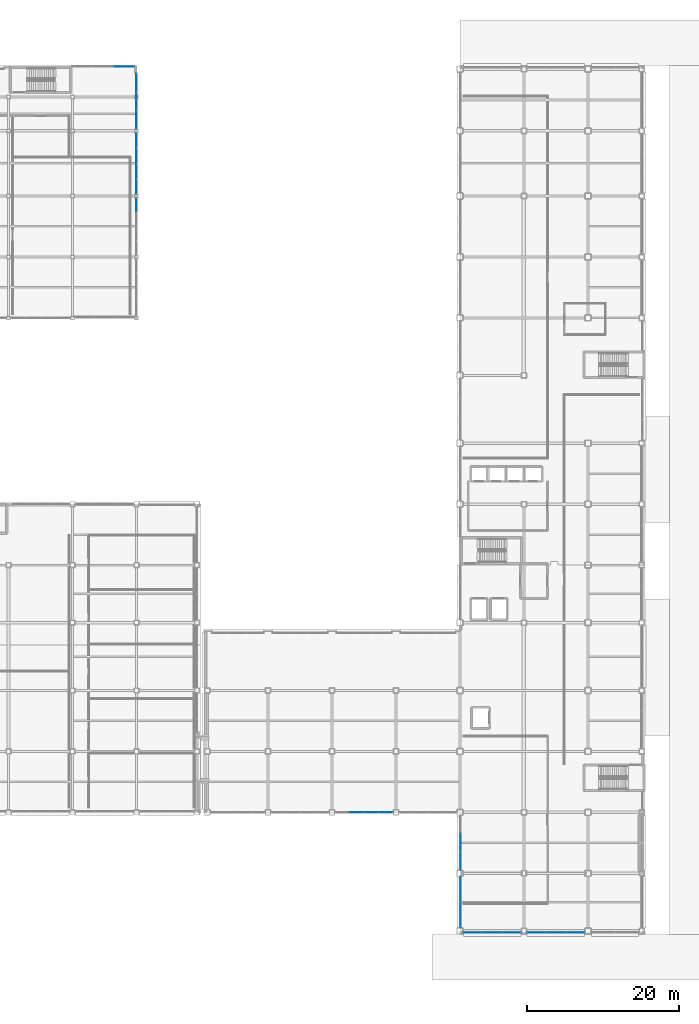
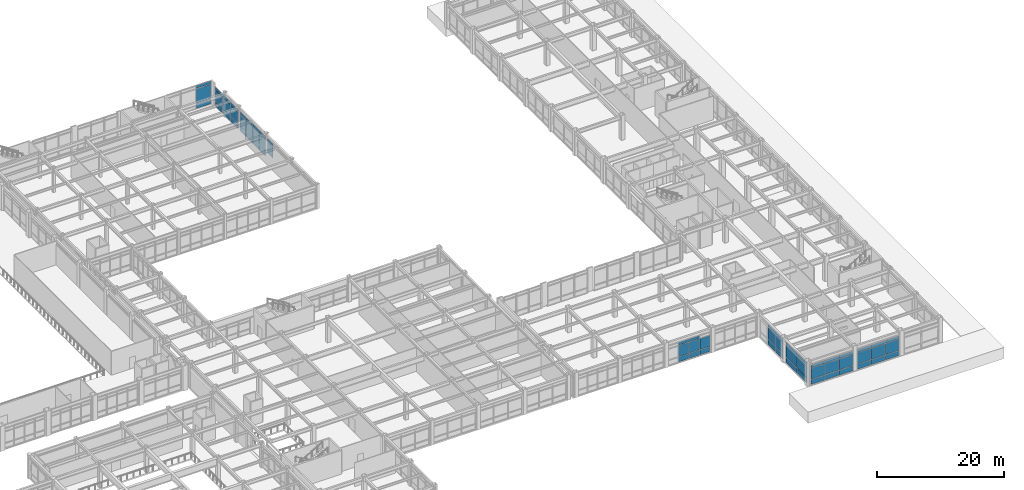
# One storey, part 134 of 172: 64 plates, 9 elements without a shape of their own.
"""IFC4 building model written with IfcOpenShell, lengths in metres."""

from ifc_helpers import new_model, si_unit, direction, frame, origin, origin_2d, place, context, subcontext, project, spatial, rectangle, extrude, material, layer, layer_set, type_object, element, aggregate, save


model = new_model("IFC4")

# Units and contexts
model_context = context("Model", 3, precision=1e-05, world=origin(), true_north=direction((0.0, 1.0)))
body_context = subcontext(model_context, "Body", "Model", "MODEL_VIEW")
ifc_project = project(units=[si_unit("LENGTHUNIT", "METRE"), si_unit("AREAUNIT", "SQUARE_METRE"), si_unit("VOLUMEUNIT", "CUBIC_METRE"), si_unit("PLANEANGLEUNIT", "RADIAN"), si_unit("MASSUNIT", "GRAM", prefix="KILO")], contexts=[model_context])

# Site, building, storey
site_placement = place(None, origin())
site = spatial("IfcSite", under=ifc_project, at=site_placement, CompositionType="ELEMENT")
building_placement = place(site_placement, origin())
building = spatial("IfcBuilding", under=site, at=building_placement, Name="Kazehara Bluff Congress Hotel", CompositionType="ELEMENT")
storey_placement = place(building_placement, frame((0.0, 0.0, 5.39990234375)))
storey = spatial("IfcBuildingStorey", under=building, at=storey_placement, Name="L01", CompositionType="ELEMENT", Elevation=5.39990234375)

# Curtain wall, plates
ifc_material_1 = material(Name="Anodised aluminium", Category="aluminium")
ifc_layer_1 = layer(ifc_material_1, 0.159912109375)
ifc_layer_set_1 = layer_set([ifc_layer_1], Name="Anodised aluminium")
curtain_wall_type_1 = type_object("IfcCurtainWallType", Name="TP-CW-21", PredefinedType="NOTDEFINED", material=ifc_layer_set_1)
curtain_wall_1_placement = place(storey_placement, origin())
curtain_wall_1 = element("IfcCurtainWall", 1, at=curtain_wall_1_placement, inside=storey, type_object=curtain_wall_type_1, Name="L01 curtain wall CW-21 CW-V3-L01-X10125-8912", PredefinedType="NOTDEFINED")
ifc_material_2 = material(Name="Insulated low-E double glazing", Category="glass")
ifc_layer_2 = layer(ifc_material_2, 0.028076171875)
ifc_layer_set_2 = layer_set([ifc_layer_2], Name="Insulated low-E double glazing")
plate_type_1 = type_object("IfcPlateType", Name="TP-CWP-01", PredefinedType="CURTAIN_PANEL", material=ifc_layer_set_2)
plate_1_placement = place(storey_placement, frame((101.25, 95.715087890625, 1.08251953125), z_axis=(0.0, 0.0, 1.0), x_axis=(0.0, 1.0, 0.0)))
plate_1 = element("IfcPlate", 2, at=plate_1_placement, type_object=plate_type_1, Name="CW-21 panel 4.2", PredefinedType="CURTAIN_PANEL", context=body_context, shape_type="SweptSolid", body=[
    extrude(rectangle(XDim=1.7900390625, YDim=0.028076171875, at=origin_2d()), origin(), (0.0, 0.0, 1.0), 2.110107421875),
])
plate_2_placement = place(storey_placement, frame((101.25, 95.715087890625, 3.2578125), z_axis=(0.0, 0.0, 1.0), x_axis=(0.0, 1.0, 0.0)))
plate_2 = element("IfcPlate", 3, at=plate_2_placement, type_object=plate_type_1, Name="CW-21 panel 4.3", PredefinedType="CURTAIN_PANEL", context=body_context, shape_type="SweptSolid", body=[
    extrude(rectangle(XDim=1.7900390625, YDim=0.028076171875, at=origin_2d()), origin(), (0.0, 0.0, 1.0), 0.552490234375),
])
aggregate(curtain_wall_1, [plate_1, plate_2])

ifc_material_3 = material(Name="Anodised aluminium", Category="aluminium")
ifc_layer_3 = layer(ifc_material_3, 0.159912109375)
ifc_layer_set_3 = layer_set([ifc_layer_3], Name="Anodised aluminium")
curtain_wall_type_2 = type_object("IfcCurtainWallType", Name="TP-CW-43", PredefinedType="NOTDEFINED", material=ifc_layer_set_3)
curtain_wall_2_placement = place(storey_placement, origin())
curtain_wall_2 = element("IfcCurtainWall", 4, at=curtain_wall_2_placement, inside=storey, type_object=curtain_wall_type_2, Name="L01 curtain wall CW-43 CW-V3-L01-X10125-9712", PredefinedType="NOTDEFINED")
plate_3_placement = place(storey_placement, frame((101.25, 98.15380859375, 0.06494140625), z_axis=(0.0, 0.0, 1.0), x_axis=(0.0, 1.0, 0.0)))
plate_3 = element("IfcPlate", 5, at=plate_3_placement, type_object=plate_type_1, Name="CW-43 panel 1.1", PredefinedType="CURTAIN_PANEL", context=body_context, shape_type="SweptSolid", body=[
    extrude(rectangle(XDim=1.927490234375, YDim=0.028076171875, at=origin_2d()), origin(), (0.0, 0.0, 1.0), 0.952392578125),
])
plate_4_placement = place(storey_placement, frame((101.25, 98.15380859375, 1.08251953125), z_axis=(0.0, 0.0, 1.0), x_axis=(0.0, 1.0, 0.0)))
plate_4 = element("IfcPlate", 6, at=plate_4_placement, type_object=plate_type_1, Name="CW-43 panel 1.2", PredefinedType="CURTAIN_PANEL", context=body_context, shape_type="SweptSolid", body=[
    extrude(rectangle(XDim=1.927490234375, YDim=0.028076171875, at=origin_2d()), origin(), (0.0, 0.0, 1.0), 2.110107421875),
])
plate_5_placement = place(storey_placement, frame((101.25, 98.15380859375, 3.2578125), z_axis=(0.0, 0.0, 1.0), x_axis=(0.0, 1.0, 0.0)))
plate_5 = element("IfcPlate", 7, at=plate_5_placement, type_object=plate_type_1, Name="CW-43 panel 1.3", PredefinedType="CURTAIN_PANEL", context=body_context, shape_type="SweptSolid", body=[
    extrude(rectangle(XDim=1.927490234375, YDim=0.028076171875, at=origin_2d()), origin(), (0.0, 0.0, 1.0), 0.552490234375),
])
plate_6_placement = place(storey_placement, frame((101.25, 100.16259765625, 0.06494140625), z_axis=(0.0, 0.0, 1.0), x_axis=(0.0, 1.0, 0.0)))
plate_6 = element("IfcPlate", 8, at=plate_6_placement, type_object=plate_type_1, Name="CW-43 panel 2.1", PredefinedType="CURTAIN_PANEL", context=body_context, shape_type="SweptSolid", body=[
    extrude(rectangle(XDim=1.9599609375, YDim=0.028076171875, at=origin_2d()), origin(), (0.0, 0.0, 1.0), 0.952392578125),
])
plate_7_placement = place(storey_placement, frame((101.25, 100.16259765625, 1.08251953125), z_axis=(0.0, 0.0, 1.0), x_axis=(0.0, 1.0, 0.0)))
plate_7 = element("IfcPlate", 9, at=plate_7_placement, type_object=plate_type_1, Name="CW-43 panel 2.2", PredefinedType="CURTAIN_PANEL", context=body_context, shape_type="SweptSolid", body=[
    extrude(rectangle(XDim=1.9599609375, YDim=0.028076171875, at=origin_2d()), origin(), (0.0, 0.0, 1.0), 2.110107421875),
])
plate_8_placement = place(storey_placement, frame((101.25, 100.16259765625, 3.2578125), z_axis=(0.0, 0.0, 1.0), x_axis=(0.0, 1.0, 0.0)))
plate_8 = element("IfcPlate", 10, at=plate_8_placement, type_object=plate_type_1, Name="CW-43 panel 2.3", PredefinedType="CURTAIN_PANEL", context=body_context, shape_type="SweptSolid", body=[
    extrude(rectangle(XDim=1.9599609375, YDim=0.028076171875, at=origin_2d()), origin(), (0.0, 0.0, 1.0), 0.552490234375),
])
plate_9_placement = place(storey_placement, frame((101.25, 102.1875, 0.06494140625), z_axis=(0.0, 0.0, 1.0), x_axis=(0.0, 1.0, 0.0)))
plate_9 = element("IfcPlate", 11, at=plate_9_placement, type_object=plate_type_1, Name="CW-43 panel 3.1", PredefinedType="CURTAIN_PANEL", context=body_context, shape_type="SweptSolid", body=[
    extrude(rectangle(XDim=1.9599609375, YDim=0.028076171875, at=origin_2d()), origin(), (0.0, 0.0, 1.0), 0.952392578125),
])
plate_10_placement = place(storey_placement, frame((101.25, 102.1875, 1.08251953125), z_axis=(0.0, 0.0, 1.0), x_axis=(0.0, 1.0, 0.0)))
plate_10 = element("IfcPlate", 12, at=plate_10_placement, type_object=plate_type_1, Name="CW-43 panel 3.2", PredefinedType="CURTAIN_PANEL", context=body_context, shape_type="SweptSolid", body=[
    extrude(rectangle(XDim=1.9599609375, YDim=0.028076171875, at=origin_2d()), origin(), (0.0, 0.0, 1.0), 2.110107421875),
])
plate_11_placement = place(storey_placement, frame((101.25, 102.1875, 3.2578125), z_axis=(0.0, 0.0, 1.0), x_axis=(0.0, 1.0, 0.0)))
plate_11 = element("IfcPlate", 13, at=plate_11_placement, type_object=plate_type_1, Name="CW-43 panel 3.3", PredefinedType="CURTAIN_PANEL", context=body_context, shape_type="SweptSolid", body=[
    extrude(rectangle(XDim=1.9599609375, YDim=0.028076171875, at=origin_2d()), origin(), (0.0, 0.0, 1.0), 0.552490234375),
])
plate_12_placement = place(storey_placement, frame((101.25, 104.1962890625, 0.06494140625), z_axis=(0.0, 0.0, 1.0), x_axis=(0.0, 1.0, 0.0)))
plate_12 = element("IfcPlate", 14, at=plate_12_placement, type_object=plate_type_1, Name="CW-43 panel 4.1", PredefinedType="CURTAIN_PANEL", context=body_context, shape_type="SweptSolid", body=[
    extrude(rectangle(XDim=1.927490234375, YDim=0.028076171875, at=origin_2d()), origin(), (0.0, 0.0, 1.0), 0.952392578125),
])
plate_13_placement = place(storey_placement, frame((101.25, 104.1962890625, 1.08251953125), z_axis=(0.0, 0.0, 1.0), x_axis=(0.0, 1.0, 0.0)))
plate_13 = element("IfcPlate", 15, at=plate_13_placement, type_object=plate_type_1, Name="CW-43 panel 4.2", PredefinedType="CURTAIN_PANEL", context=body_context, shape_type="SweptSolid", body=[
    extrude(rectangle(XDim=1.927490234375, YDim=0.028076171875, at=origin_2d()), origin(), (0.0, 0.0, 1.0), 2.110107421875),
])
plate_14_placement = place(storey_placement, frame((101.25, 104.1962890625, 3.2578125), z_axis=(0.0, 0.0, 1.0), x_axis=(0.0, 1.0, 0.0)))
plate_14 = element("IfcPlate", 16, at=plate_14_placement, type_object=plate_type_1, Name="CW-43 panel 4.3", PredefinedType="CURTAIN_PANEL", context=body_context, shape_type="SweptSolid", body=[
    extrude(rectangle(XDim=1.927490234375, YDim=0.028076171875, at=origin_2d()), origin(), (0.0, 0.0, 1.0), 0.552490234375),
])
aggregate(curtain_wall_2, [plate_3, plate_4, plate_5, plate_6, plate_7, plate_8, plate_9, plate_10, plate_11, plate_12, plate_13, plate_14])

ifc_material_4 = material(Name="Anodised aluminium", Category="aluminium")
ifc_layer_4 = layer(ifc_material_4, 0.159912109375)
ifc_layer_set_4 = layer_set([ifc_layer_4], Name="Anodised aluminium")
curtain_wall_type_3 = type_object("IfcCurtainWallType", Name="TP-CW-44", PredefinedType="NOTDEFINED", material=ifc_layer_set_4)
curtain_wall_3_placement = place(storey_placement, origin())
curtain_wall_3 = element("IfcCurtainWall", 17, at=curtain_wall_3_placement, inside=storey, type_object=curtain_wall_type_3, Name="L01 curtain wall CW-44 CW-V3-L01-X10125-10568", PredefinedType="NOTDEFINED")
plate_15_placement = place(storey_placement, frame((101.25, 106.912109375, 0.06494140625), z_axis=(0.0, 0.0, 1.0), x_axis=(0.0, 1.0, 0.0)))
plate_15 = element("IfcPlate", 18, at=plate_15_placement, type_object=plate_type_1, Name="CW-44 panel 1.1", PredefinedType="CURTAIN_PANEL", context=body_context, shape_type="SweptSolid", body=[
    extrude(rectangle(XDim=2.34423828125, YDim=0.028076171875, at=origin_2d()), origin(), (0.0, 0.0, 1.0), 0.952392578125),
])
plate_16_placement = place(storey_placement, frame((101.25, 106.912109375, 1.08251953125), z_axis=(0.0, 0.0, 1.0), x_axis=(0.0, 1.0, 0.0)))
plate_16 = element("IfcPlate", 19, at=plate_16_placement, type_object=plate_type_1, Name="CW-44 panel 1.2", PredefinedType="CURTAIN_PANEL", context=body_context, shape_type="SweptSolid", body=[
    extrude(rectangle(XDim=2.34423828125, YDim=0.028076171875, at=origin_2d()), origin(), (0.0, 0.0, 1.0), 2.110107421875),
])
plate_17_placement = place(storey_placement, frame((101.25, 106.912109375, 3.2578125), z_axis=(0.0, 0.0, 1.0), x_axis=(0.0, 1.0, 0.0)))
plate_17 = element("IfcPlate", 20, at=plate_17_placement, type_object=plate_type_1, Name="CW-44 panel 1.3", PredefinedType="CURTAIN_PANEL", context=body_context, shape_type="SweptSolid", body=[
    extrude(rectangle(XDim=2.34423828125, YDim=0.028076171875, at=origin_2d()), origin(), (0.0, 0.0, 1.0), 0.552490234375),
])
plate_18_placement = place(storey_placement, frame((101.25, 109.33740234375, 0.06494140625), z_axis=(0.0, 0.0, 1.0), x_axis=(0.0, 1.0, 0.0)))
plate_18 = element("IfcPlate", 21, at=plate_18_placement, type_object=plate_type_1, Name="CW-44 panel 2.1", PredefinedType="CURTAIN_PANEL", context=body_context, shape_type="SweptSolid", body=[
    extrude(rectangle(XDim=2.376708984375, YDim=0.028076171875, at=origin_2d()), origin(), (0.0, 0.0, 1.0), 0.952392578125),
])
plate_19_placement = place(storey_placement, frame((101.25, 109.33740234375, 1.08251953125), z_axis=(0.0, 0.0, 1.0), x_axis=(0.0, 1.0, 0.0)))
plate_19 = element("IfcPlate", 22, at=plate_19_placement, type_object=plate_type_1, Name="CW-44 panel 2.2", PredefinedType="CURTAIN_PANEL", context=body_context, shape_type="SweptSolid", body=[
    extrude(rectangle(XDim=2.376708984375, YDim=0.028076171875, at=origin_2d()), origin(), (0.0, 0.0, 1.0), 2.110107421875),
])
plate_20_placement = place(storey_placement, frame((101.25, 109.33740234375, 3.2578125), z_axis=(0.0, 0.0, 1.0), x_axis=(0.0, 1.0, 0.0)))
plate_20 = element("IfcPlate", 23, at=plate_20_placement, type_object=plate_type_1, Name="CW-44 panel 2.3", PredefinedType="CURTAIN_PANEL", context=body_context, shape_type="SweptSolid", body=[
    extrude(rectangle(XDim=2.376708984375, YDim=0.028076171875, at=origin_2d()), origin(), (0.0, 0.0, 1.0), 0.552490234375),
])
plate_21_placement = place(storey_placement, frame((101.25, 111.762939453125, 0.06494140625), z_axis=(0.0, 0.0, 1.0), x_axis=(0.0, 1.0, 0.0)))
plate_21 = element("IfcPlate", 24, at=plate_21_placement, type_object=plate_type_1, Name="CW-44 panel 3.1", PredefinedType="CURTAIN_PANEL", context=body_context, shape_type="SweptSolid", body=[
    extrude(rectangle(XDim=2.34423828125, YDim=0.028076171875, at=origin_2d()), origin(), (0.0, 0.0, 1.0), 0.952392578125),
])
plate_22_placement = place(storey_placement, frame((101.25, 111.762939453125, 1.08251953125), z_axis=(0.0, 0.0, 1.0), x_axis=(0.0, 1.0, 0.0)))
plate_22 = element("IfcPlate", 25, at=plate_22_placement, type_object=plate_type_1, Name="CW-44 panel 3.2", PredefinedType="CURTAIN_PANEL", context=body_context, shape_type="SweptSolid", body=[
    extrude(rectangle(XDim=2.34423828125, YDim=0.028076171875, at=origin_2d()), origin(), (0.0, 0.0, 1.0), 2.110107421875),
])
plate_23_placement = place(storey_placement, frame((101.25, 111.762939453125, 3.2578125), z_axis=(0.0, 0.0, 1.0), x_axis=(0.0, 1.0, 0.0)))
plate_23 = element("IfcPlate", 26, at=plate_23_placement, type_object=plate_type_1, Name="CW-44 panel 3.3", PredefinedType="CURTAIN_PANEL", context=body_context, shape_type="SweptSolid", body=[
    extrude(rectangle(XDim=2.34423828125, YDim=0.028076171875, at=origin_2d()), origin(), (0.0, 0.0, 1.0), 0.552490234375),
])
aggregate(curtain_wall_3, [plate_15, plate_16, plate_17, plate_18, plate_19, plate_20, plate_21, plate_22, plate_23])

ifc_material_5 = material(Name="Anodised aluminium", Category="aluminium")
ifc_layer_5 = layer(ifc_material_5, 0.159912109375)
ifc_layer_set_5 = layer_set([ifc_layer_5], Name="Anodised aluminium")
curtain_wall_type_4 = type_object("IfcCurtainWallType", Name="TP-CW-79", PredefinedType="NOTDEFINED", material=ifc_layer_set_5)
curtain_wall_4_placement = place(storey_placement, origin())
curtain_wall_4 = element("IfcCurtainWall", 27, at=curtain_wall_4_placement, inside=storey, type_object=curtain_wall_type_4, Name="L01 curtain wall CW-79 CW-V5-L01-Y1600-12725", PredefinedType="NOTDEFINED")
plate_24_placement = place(storey_placement, frame((130.137451171875, 16.0, 0.06494140625), z_axis=(0.0, 0.0, 1.0), x_axis=(1.0, 0.0, 0.0)))
plate_24 = element("IfcPlate", 28, at=plate_24_placement, type_object=plate_type_1, Name="CW-79 panel 2.1", PredefinedType="CURTAIN_PANEL", context=body_context, shape_type="SweptSolid", body=[
    extrude(rectangle(XDim=1.860107421875, YDim=0.028076171875, at=origin_2d()), origin(), (0.0, 0.0, 1.0), 0.952392578125),
])
plate_25_placement = place(storey_placement, frame((130.137451171875, 16.0, 1.08251953125), z_axis=(0.0, 0.0, 1.0), x_axis=(1.0, 0.0, 0.0)))
plate_25 = element("IfcPlate", 29, at=plate_25_placement, type_object=plate_type_1, Name="CW-79 panel 2.2", PredefinedType="CURTAIN_PANEL", context=body_context, shape_type="SweptSolid", body=[
    extrude(rectangle(XDim=1.860107421875, YDim=0.028076171875, at=origin_2d()), origin(), (0.0, 0.0, 1.0), 2.110107421875),
])
plate_26_placement = place(storey_placement, frame((130.137451171875, 16.0, 3.2578125), z_axis=(0.0, 0.0, 1.0), x_axis=(1.0, 0.0, 0.0)))
plate_26 = element("IfcPlate", 30, at=plate_26_placement, type_object=plate_type_1, Name="CW-79 panel 2.3", PredefinedType="CURTAIN_PANEL", context=body_context, shape_type="SweptSolid", body=[
    extrude(rectangle(XDim=1.860107421875, YDim=0.028076171875, at=origin_2d()), origin(), (0.0, 0.0, 1.0), 0.552490234375),
])
plate_27_placement = place(storey_placement, frame((132.0625, 16.0, 0.06494140625), z_axis=(0.0, 0.0, 1.0), x_axis=(1.0, 0.0, 0.0)))
plate_27 = element("IfcPlate", 31, at=plate_27_placement, type_object=plate_type_1, Name="CW-79 panel 3.1", PredefinedType="CURTAIN_PANEL", context=body_context, shape_type="SweptSolid", body=[
    extrude(rectangle(XDim=1.860107421875, YDim=0.028076171875, at=origin_2d()), origin(), (0.0, 0.0, 1.0), 0.952392578125),
])
plate_28_placement = place(storey_placement, frame((132.0625, 16.0, 1.08251953125), z_axis=(0.0, 0.0, 1.0), x_axis=(1.0, 0.0, 0.0)))
plate_28 = element("IfcPlate", 32, at=plate_28_placement, type_object=plate_type_1, Name="CW-79 panel 3.2", PredefinedType="CURTAIN_PANEL", context=body_context, shape_type="SweptSolid", body=[
    extrude(rectangle(XDim=1.860107421875, YDim=0.028076171875, at=origin_2d()), origin(), (0.0, 0.0, 1.0), 2.110107421875),
])
plate_29_placement = place(storey_placement, frame((132.0625, 16.0, 3.2578125), z_axis=(0.0, 0.0, 1.0), x_axis=(1.0, 0.0, 0.0)))
plate_29 = element("IfcPlate", 33, at=plate_29_placement, type_object=plate_type_1, Name="CW-79 panel 3.3", PredefinedType="CURTAIN_PANEL", context=body_context, shape_type="SweptSolid", body=[
    extrude(rectangle(XDim=1.860107421875, YDim=0.028076171875, at=origin_2d()), origin(), (0.0, 0.0, 1.0), 0.552490234375),
])
plate_30_placement = place(storey_placement, frame((133.97119140625, 16.0, 0.06494140625), z_axis=(0.0, 0.0, 1.0), x_axis=(1.0, 0.0, 0.0)))
plate_30 = element("IfcPlate", 34, at=plate_30_placement, type_object=plate_type_1, Name="CW-79 panel 4.1", PredefinedType="CURTAIN_PANEL", context=body_context, shape_type="SweptSolid", body=[
    extrude(rectangle(XDim=1.827392578125, YDim=0.028076171875, at=origin_2d()), origin(), (0.0, 0.0, 1.0), 0.952392578125),
])
plate_31_placement = place(storey_placement, frame((133.97119140625, 16.0, 1.08251953125), z_axis=(0.0, 0.0, 1.0), x_axis=(1.0, 0.0, 0.0)))
plate_31 = element("IfcPlate", 35, at=plate_31_placement, type_object=plate_type_1, Name="CW-79 panel 4.2", PredefinedType="CURTAIN_PANEL", context=body_context, shape_type="SweptSolid", body=[
    extrude(rectangle(XDim=1.827392578125, YDim=0.028076171875, at=origin_2d()), origin(), (0.0, 0.0, 1.0), 2.110107421875),
])
aggregate(curtain_wall_4, [plate_24, plate_25, plate_26, plate_27, plate_28, plate_29, plate_30, plate_31])

ifc_material_6 = material(Name="Anodised aluminium", Category="aluminium")
ifc_layer_6 = layer(ifc_material_6, 0.159912109375)
ifc_layer_set_6 = layer_set([ifc_layer_6], Name="Anodised aluminium")
curtain_wall_type_5 = type_object("IfcCurtainWallType", Name="TP-CW-22", PredefinedType="NOTDEFINED", material=ifc_layer_set_6)
curtain_wall_5_placement = place(storey_placement, origin())
curtain_wall_5 = element("IfcCurtainWall", 36, at=curtain_wall_5_placement, inside=storey, type_object=curtain_wall_type_5, Name="L01 curtain wall CW-22 CW-ENC-V5-L01-14793-22", PredefinedType="NOTDEFINED")
plate_32_placement = place(storey_placement, frame((150.458740234375, 0.219970703125, 0.06494140625), z_axis=(0.0, 0.0, 1.0), x_axis=(-1.0, 0.0, 0.0)))
plate_32 = element("IfcPlate", 37, at=plate_32_placement, type_object=plate_type_1, Name="CW-22 panel 1.1", PredefinedType="CURTAIN_PANEL", context=body_context, shape_type="SweptSolid", body=[
    extrude(rectangle(XDim=2.452392578125, YDim=0.028076171875, at=origin_2d()), origin(), (0.0, 0.0, 1.0), 0.952392578125),
])
plate_33_placement = place(storey_placement, frame((150.458740234375, 0.219970703125, 1.08251953125), z_axis=(0.0, 0.0, 1.0), x_axis=(-1.0, 0.0, 0.0)))
plate_33 = element("IfcPlate", 38, at=plate_33_placement, type_object=plate_type_1, Name="CW-22 panel 1.2", PredefinedType="CURTAIN_PANEL", context=body_context, shape_type="SweptSolid", body=[
    extrude(rectangle(XDim=2.452392578125, YDim=0.028076171875, at=origin_2d()), origin(), (0.0, 0.0, 1.0), 2.110107421875),
])
plate_34_placement = place(storey_placement, frame((150.458740234375, 0.219970703125, 3.2578125), z_axis=(0.0, 0.0, 1.0), x_axis=(-1.0, 0.0, 0.0)))
plate_34 = element("IfcPlate", 39, at=plate_34_placement, type_object=plate_type_1, Name="CW-22 panel 1.3", PredefinedType="CURTAIN_PANEL", context=body_context, shape_type="SweptSolid", body=[
    extrude(rectangle(XDim=2.452392578125, YDim=0.028076171875, at=origin_2d()), origin(), (0.0, 0.0, 1.0), 0.552490234375),
])
plate_35_placement = place(storey_placement, frame((147.925048828125, 0.219970703125, 0.06494140625), z_axis=(0.0, 0.0, 1.0), x_axis=(-1.0, 0.0, 0.0)))
plate_35 = element("IfcPlate", 40, at=plate_35_placement, type_object=plate_type_1, Name="CW-22 panel 2.1", PredefinedType="CURTAIN_PANEL", context=body_context, shape_type="SweptSolid", body=[
    extrude(rectangle(XDim=2.485107421875, YDim=0.028076171875, at=origin_2d()), origin(), (0.0, 0.0, 1.0), 0.952392578125),
])
plate_36_placement = place(storey_placement, frame((147.925048828125, 0.219970703125, 1.08251953125), z_axis=(0.0, 0.0, 1.0), x_axis=(-1.0, 0.0, 0.0)))
plate_36 = element("IfcPlate", 41, at=plate_36_placement, type_object=plate_type_1, Name="CW-22 panel 2.2", PredefinedType="CURTAIN_PANEL", context=body_context, shape_type="SweptSolid", body=[
    extrude(rectangle(XDim=2.485107421875, YDim=0.028076171875, at=origin_2d()), origin(), (0.0, 0.0, 1.0), 2.110107421875),
])
plate_37_placement = place(storey_placement, frame((147.925048828125, 0.219970703125, 3.2578125), z_axis=(0.0, 0.0, 1.0), x_axis=(-1.0, 0.0, 0.0)))
plate_37 = element("IfcPlate", 42, at=plate_37_placement, type_object=plate_type_1, Name="CW-22 panel 2.3", PredefinedType="CURTAIN_PANEL", context=body_context, shape_type="SweptSolid", body=[
    extrude(rectangle(XDim=2.485107421875, YDim=0.028076171875, at=origin_2d()), origin(), (0.0, 0.0, 1.0), 0.552490234375),
])
plate_38_placement = place(storey_placement, frame((145.391357421875, 0.219970703125, 0.06494140625), z_axis=(0.0, 0.0, 1.0), x_axis=(-1.0, 0.0, 0.0)))
plate_38 = element("IfcPlate", 43, at=plate_38_placement, type_object=plate_type_1, Name="CW-22 panel 3.1", PredefinedType="CURTAIN_PANEL", context=body_context, shape_type="SweptSolid", body=[
    extrude(rectangle(XDim=2.452392578125, YDim=0.028076171875, at=origin_2d()), origin(), (0.0, 0.0, 1.0), 0.952392578125),
])
plate_39_placement = place(storey_placement, frame((145.391357421875, 0.219970703125, 1.08251953125), z_axis=(0.0, 0.0, 1.0), x_axis=(-1.0, 0.0, 0.0)))
plate_39 = element("IfcPlate", 44, at=plate_39_placement, type_object=plate_type_1, Name="CW-22 panel 3.2", PredefinedType="CURTAIN_PANEL", context=body_context, shape_type="SweptSolid", body=[
    extrude(rectangle(XDim=2.452392578125, YDim=0.028076171875, at=origin_2d()), origin(), (0.0, 0.0, 1.0), 2.110107421875),
])
plate_40_placement = place(storey_placement, frame((145.391357421875, 0.219970703125, 3.2578125), z_axis=(0.0, 0.0, 1.0), x_axis=(-1.0, 0.0, 0.0)))
plate_40 = element("IfcPlate", 45, at=plate_40_placement, type_object=plate_type_1, Name="CW-22 panel 3.3", PredefinedType="CURTAIN_PANEL", context=body_context, shape_type="SweptSolid", body=[
    extrude(rectangle(XDim=2.452392578125, YDim=0.028076171875, at=origin_2d()), origin(), (0.0, 0.0, 1.0), 0.552490234375),
])
aggregate(curtain_wall_5, [plate_32, plate_33, plate_34, plate_35, plate_36, plate_37, plate_38, plate_39, plate_40])

curtain_wall_6_placement = place(storey_placement, origin())
curtain_wall_6 = element("IfcCurtainWall", 46, at=curtain_wall_6_placement, inside=storey, type_object=curtain_wall_type_5, Name="L01 curtain wall CW-22 CW-ENC-V5-L01-15627-22", PredefinedType="NOTDEFINED")
plate_41_placement = place(storey_placement, frame((158.808837890625, 0.219970703125, 0.06494140625), z_axis=(0.0, 0.0, 1.0), x_axis=(-1.0, 0.0, 0.0)))
plate_41 = element("IfcPlate", 47, at=plate_41_placement, type_object=plate_type_1, Name="CW-22 panel 1.1", PredefinedType="CURTAIN_PANEL", context=body_context, shape_type="SweptSolid", body=[
    extrude(rectangle(XDim=2.452392578125, YDim=0.028076171875, at=origin_2d()), origin(), (0.0, 0.0, 1.0), 0.952392578125),
])
plate_42_placement = place(storey_placement, frame((158.808837890625, 0.219970703125, 1.08251953125), z_axis=(0.0, 0.0, 1.0), x_axis=(-1.0, 0.0, 0.0)))
plate_42 = element("IfcPlate", 48, at=plate_42_placement, type_object=plate_type_1, Name="CW-22 panel 1.2", PredefinedType="CURTAIN_PANEL", context=body_context, shape_type="SweptSolid", body=[
    extrude(rectangle(XDim=2.452392578125, YDim=0.028076171875, at=origin_2d()), origin(), (0.0, 0.0, 1.0), 2.110107421875),
])
plate_43_placement = place(storey_placement, frame((158.808837890625, 0.219970703125, 3.2578125), z_axis=(0.0, 0.0, 1.0), x_axis=(-1.0, 0.0, 0.0)))
plate_43 = element("IfcPlate", 49, at=plate_43_placement, type_object=plate_type_1, Name="CW-22 panel 1.3", PredefinedType="CURTAIN_PANEL", context=body_context, shape_type="SweptSolid", body=[
    extrude(rectangle(XDim=2.452392578125, YDim=0.028076171875, at=origin_2d()), origin(), (0.0, 0.0, 1.0), 0.552490234375),
])
plate_44_placement = place(storey_placement, frame((156.27490234375, 0.219970703125, 0.06494140625), z_axis=(0.0, 0.0, 1.0), x_axis=(-1.0, 0.0, 0.0)))
plate_44 = element("IfcPlate", 50, at=plate_44_placement, type_object=plate_type_1, Name="CW-22 panel 2.1", PredefinedType="CURTAIN_PANEL", context=body_context, shape_type="SweptSolid", body=[
    extrude(rectangle(XDim=2.485107421875, YDim=0.028076171875, at=origin_2d()), origin(), (0.0, 0.0, 1.0), 0.952392578125),
])
plate_45_placement = place(storey_placement, frame((156.27490234375, 0.219970703125, 1.08251953125), z_axis=(0.0, 0.0, 1.0), x_axis=(-1.0, 0.0, 0.0)))
plate_45 = element("IfcPlate", 51, at=plate_45_placement, type_object=plate_type_1, Name="CW-22 panel 2.2", PredefinedType="CURTAIN_PANEL", context=body_context, shape_type="SweptSolid", body=[
    extrude(rectangle(XDim=2.485107421875, YDim=0.028076171875, at=origin_2d()), origin(), (0.0, 0.0, 1.0), 2.110107421875),
])
plate_46_placement = place(storey_placement, frame((156.27490234375, 0.219970703125, 3.2578125), z_axis=(0.0, 0.0, 1.0), x_axis=(-1.0, 0.0, 0.0)))
plate_46 = element("IfcPlate", 52, at=plate_46_placement, type_object=plate_type_1, Name="CW-22 panel 2.3", PredefinedType="CURTAIN_PANEL", context=body_context, shape_type="SweptSolid", body=[
    extrude(rectangle(XDim=2.485107421875, YDim=0.028076171875, at=origin_2d()), origin(), (0.0, 0.0, 1.0), 0.552490234375),
])
plate_47_placement = place(storey_placement, frame((153.7412109375, 0.219970703125, 0.06494140625), z_axis=(0.0, 0.0, 1.0), x_axis=(-1.0, 0.0, 0.0)))
plate_47 = element("IfcPlate", 53, at=plate_47_placement, type_object=plate_type_1, Name="CW-22 panel 3.1", PredefinedType="CURTAIN_PANEL", context=body_context, shape_type="SweptSolid", body=[
    extrude(rectangle(XDim=2.452392578125, YDim=0.028076171875, at=origin_2d()), origin(), (0.0, 0.0, 1.0), 0.952392578125),
])
plate_48_placement = place(storey_placement, frame((153.7412109375, 0.219970703125, 1.08251953125), z_axis=(0.0, 0.0, 1.0), x_axis=(-1.0, 0.0, 0.0)))
plate_48 = element("IfcPlate", 54, at=plate_48_placement, type_object=plate_type_1, Name="CW-22 panel 3.2", PredefinedType="CURTAIN_PANEL", context=body_context, shape_type="SweptSolid", body=[
    extrude(rectangle(XDim=2.452392578125, YDim=0.028076171875, at=origin_2d()), origin(), (0.0, 0.0, 1.0), 2.110107421875),
])
plate_49_placement = place(storey_placement, frame((153.7412109375, 0.219970703125, 3.2578125), z_axis=(0.0, 0.0, 1.0), x_axis=(-1.0, 0.0, 0.0)))
plate_49 = element("IfcPlate", 55, at=plate_49_placement, type_object=plate_type_1, Name="CW-22 panel 3.3", PredefinedType="CURTAIN_PANEL", context=body_context, shape_type="SweptSolid", body=[
    extrude(rectangle(XDim=2.452392578125, YDim=0.028076171875, at=origin_2d()), origin(), (0.0, 0.0, 1.0), 0.552490234375),
])
aggregate(curtain_wall_6, [plate_41, plate_42, plate_43, plate_44, plate_45, plate_46, plate_47, plate_48, plate_49])

ifc_material_7 = material(Name="Anodised aluminium", Category="aluminium")
ifc_layer_7 = layer(ifc_material_7, 0.159912109375)
ifc_layer_set_7 = layer_set([ifc_layer_7], Name="Anodised aluminium")
curtain_wall_type_6 = type_object("IfcCurtainWallType", Name="TP-CW-122", PredefinedType="NOTDEFINED", material=ifc_layer_set_7)
curtain_wall_7_placement = place(storey_placement, origin())
curtain_wall_7 = element("IfcCurtainWall", 56, at=curtain_wall_7_placement, inside=storey, type_object=curtain_wall_type_6, Name="L01 curtain wall CW-122 CW-ENC-V5-L01-14380-422", PredefinedType="NOTDEFINED")
plate_50_placement = place(storey_placement, frame((143.800048828125, 2.5537109375, 0.06494140625), z_axis=(0.0, 0.0, 1.0), x_axis=(0.0, 1.0, 0.0)))
plate_50 = element("IfcPlate", 57, at=plate_50_placement, type_object=plate_type_1, Name="CW-122 panel 1.1", PredefinedType="CURTAIN_PANEL", context=body_context, shape_type="SweptSolid", body=[
    extrude(rectangle(XDim=3.277587890625, YDim=0.028076171875, at=origin_2d()), origin(), (0.0, 0.0, 1.0), 0.952392578125),
])
plate_51_placement = place(storey_placement, frame((143.800048828125, 2.5537109375, 1.08251953125), z_axis=(0.0, 0.0, 1.0), x_axis=(0.0, 1.0, 0.0)))
plate_51 = element("IfcPlate", 58, at=plate_51_placement, type_object=plate_type_1, Name="CW-122 panel 1.2", PredefinedType="CURTAIN_PANEL", context=body_context, shape_type="SweptSolid", body=[
    extrude(rectangle(XDim=3.277587890625, YDim=0.028076171875, at=origin_2d()), origin(), (0.0, 0.0, 1.0), 2.2099609375),
])
plate_52_placement = place(storey_placement, frame((143.800048828125, 2.5537109375, 3.357421875), z_axis=(0.0, 0.0, 1.0), x_axis=(0.0, 1.0, 0.0)))
plate_52 = element("IfcPlate", 59, at=plate_52_placement, type_object=plate_type_1, Name="CW-122 panel 1.3", PredefinedType="CURTAIN_PANEL", context=body_context, shape_type="SweptSolid", body=[
    extrude(rectangle(XDim=3.277587890625, YDim=0.028076171875, at=origin_2d()), origin(), (0.0, 0.0, 1.0), 0.552490234375),
])
plate_53_placement = place(storey_placement, frame((143.800048828125, 5.896240234375, 0.06494140625), z_axis=(0.0, 0.0, 1.0), x_axis=(0.0, 1.0, 0.0)))
plate_53 = element("IfcPlate", 60, at=plate_53_placement, type_object=plate_type_1, Name="CW-122 panel 2.1", PredefinedType="CURTAIN_PANEL", context=body_context, shape_type="SweptSolid", body=[
    extrude(rectangle(XDim=3.277587890625, YDim=0.028076171875, at=origin_2d()), origin(), (0.0, 0.0, 1.0), 0.952392578125),
])
plate_54_placement = place(storey_placement, frame((143.800048828125, 5.896240234375, 1.08251953125), z_axis=(0.0, 0.0, 1.0), x_axis=(0.0, 1.0, 0.0)))
plate_54 = element("IfcPlate", 61, at=plate_54_placement, type_object=plate_type_1, Name="CW-122 panel 2.2", PredefinedType="CURTAIN_PANEL", context=body_context, shape_type="SweptSolid", body=[
    extrude(rectangle(XDim=3.277587890625, YDim=0.028076171875, at=origin_2d()), origin(), (0.0, 0.0, 1.0), 2.2099609375),
])
plate_55_placement = place(storey_placement, frame((143.800048828125, 5.896240234375, 3.357421875), z_axis=(0.0, 0.0, 1.0), x_axis=(0.0, 1.0, 0.0)))
plate_55 = element("IfcPlate", 62, at=plate_55_placement, type_object=plate_type_1, Name="CW-122 panel 2.3", PredefinedType="CURTAIN_PANEL", context=body_context, shape_type="SweptSolid", body=[
    extrude(rectangle(XDim=3.277587890625, YDim=0.028076171875, at=origin_2d()), origin(), (0.0, 0.0, 1.0), 0.552490234375),
])
aggregate(curtain_wall_7, [plate_50, plate_51, plate_52, plate_53, plate_54, plate_55])

ifc_material_8 = material(Name="Anodised aluminium", Category="aluminium")
ifc_layer_8 = layer(ifc_material_8, 0.159912109375)
ifc_layer_set_8 = layer_set([ifc_layer_8], Name="Anodised aluminium")
curtain_wall_type_7 = type_object("IfcCurtainWallType", Name="TP-CW-120", PredefinedType="NOTDEFINED", material=ifc_layer_set_8)
curtain_wall_8_placement = place(storey_placement, origin())
curtain_wall_8 = element("IfcCurtainWall", 63, at=curtain_wall_8_placement, inside=storey, type_object=curtain_wall_type_7, Name="L01 curtain wall CW-120 CW-ENC-V5-L01-14380-1200", PredefinedType="NOTDEFINED")
plate_56_placement = place(storey_placement, frame((143.800048828125, 9.6162109375, 0.06494140625), z_axis=(0.0, 0.0, 1.0), x_axis=(0.0, 1.0, 0.0)))
plate_56 = element("IfcPlate", 64, at=plate_56_placement, type_object=plate_type_1, Name="CW-120 panel 1.1", PredefinedType="CURTAIN_PANEL", context=body_context, shape_type="SweptSolid", body=[
    extrude(rectangle(XDim=2.302490234375, YDim=0.028076171875, at=origin_2d()), origin(), (0.0, 0.0, 1.0), 0.952392578125),
])
plate_57_placement = place(storey_placement, frame((143.800048828125, 9.6162109375, 1.08251953125), z_axis=(0.0, 0.0, 1.0), x_axis=(0.0, 1.0, 0.0)))
plate_57 = element("IfcPlate", 65, at=plate_57_placement, type_object=plate_type_1, Name="CW-120 panel 1.2", PredefinedType="CURTAIN_PANEL", context=body_context, shape_type="SweptSolid", body=[
    extrude(rectangle(XDim=2.302490234375, YDim=0.028076171875, at=origin_2d()), origin(), (0.0, 0.0, 1.0), 2.2099609375),
])
plate_58_placement = place(storey_placement, frame((143.800048828125, 9.6162109375, 3.357421875), z_axis=(0.0, 0.0, 1.0), x_axis=(0.0, 1.0, 0.0)))
plate_58 = element("IfcPlate", 66, at=plate_58_placement, type_object=plate_type_1, Name="CW-120 panel 1.3", PredefinedType="CURTAIN_PANEL", context=body_context, shape_type="SweptSolid", body=[
    extrude(rectangle(XDim=2.302490234375, YDim=0.028076171875, at=origin_2d()), origin(), (0.0, 0.0, 1.0), 0.552490234375),
])
plate_59_placement = place(storey_placement, frame((143.800048828125, 12.0, 0.06494140625), z_axis=(0.0, 0.0, 1.0), x_axis=(0.0, 1.0, 0.0)))
plate_59 = element("IfcPlate", 67, at=plate_59_placement, type_object=plate_type_1, Name="CW-120 panel 2.1", PredefinedType="CURTAIN_PANEL", context=body_context, shape_type="SweptSolid", body=[
    extrude(rectangle(XDim=2.3349609375, YDim=0.028076171875, at=origin_2d()), origin(), (0.0, 0.0, 1.0), 0.952392578125),
])
plate_60_placement = place(storey_placement, frame((143.800048828125, 12.0, 1.08251953125), z_axis=(0.0, 0.0, 1.0), x_axis=(0.0, 1.0, 0.0)))
plate_60 = element("IfcPlate", 68, at=plate_60_placement, type_object=plate_type_1, Name="CW-120 panel 2.2", PredefinedType="CURTAIN_PANEL", context=body_context, shape_type="SweptSolid", body=[
    extrude(rectangle(XDim=2.3349609375, YDim=0.028076171875, at=origin_2d()), origin(), (0.0, 0.0, 1.0), 2.2099609375),
])
plate_61_placement = place(storey_placement, frame((143.800048828125, 12.0, 3.357421875), z_axis=(0.0, 0.0, 1.0), x_axis=(0.0, 1.0, 0.0)))
plate_61 = element("IfcPlate", 69, at=plate_61_placement, type_object=plate_type_1, Name="CW-120 panel 2.3", PredefinedType="CURTAIN_PANEL", context=body_context, shape_type="SweptSolid", body=[
    extrude(rectangle(XDim=2.3349609375, YDim=0.028076171875, at=origin_2d()), origin(), (0.0, 0.0, 1.0), 0.552490234375),
])
aggregate(curtain_wall_8, [plate_56, plate_57, plate_58, plate_59, plate_60, plate_61])

ifc_material_9 = material(Name="Anodised aluminium", Category="aluminium")
ifc_layer_9 = layer(ifc_material_9, 0.159912109375)
ifc_layer_set_9 = layer_set([ifc_layer_9], Name="Anodised aluminium")
curtain_wall_type_8 = type_object("IfcCurtainWallType", Name="TP-CW-111", PredefinedType="NOTDEFINED", material=ifc_layer_set_9)
curtain_wall_9_placement = place(storey_placement, origin())
curtain_wall_9 = element("IfcCurtainWall", 70, at=curtain_wall_9_placement, inside=storey, type_object=curtain_wall_type_8, Name="L01 curtain wall CW-111 CW-ENC-V3-L01-9689-11388", PredefinedType="NOTDEFINED")
ifc_material_10 = material(Name="Insulated low-E double glazing", Category="glass")
ifc_layer_10 = layer(ifc_material_10, 0.031982421875)
ifc_layer_set_10 = layer_set([ifc_layer_10], Name="Insulated low-E double glazing")
plate_type_2 = type_object("IfcPlateType", Name="TP-CWP-02", PredefinedType="CURTAIN_PANEL", material=ifc_layer_set_10)
plate_62_placement = place(storey_placement, frame((99.625732421875, 113.8798828125, 0.06494140625), z_axis=(0.0, 0.0, 1.0), x_axis=(1.0, 0.0, 0.0)))
plate_62 = element("IfcPlate", 71, at=plate_62_placement, type_object=plate_type_2, Name="CW-111 panel 3.1", PredefinedType="CURTAIN_PANEL", context=body_context, shape_type="SweptSolid", body=[
    extrude(rectangle(XDim=2.6484375, YDim=0.031982421875, at=origin_2d()), origin(), (0.0, 0.0, 1.0), 0.952392578125),
])
plate_63_placement = place(storey_placement, frame((99.625732421875, 113.8798828125, 1.08251953125), z_axis=(0.0, 0.0, 1.0), x_axis=(1.0, 0.0, 0.0)))
plate_63 = element("IfcPlate", 72, at=plate_63_placement, type_object=plate_type_2, Name="CW-111 panel 3.2", PredefinedType="CURTAIN_PANEL", context=body_context, shape_type="SweptSolid", body=[
    extrude(rectangle(XDim=2.6484375, YDim=0.031982421875, at=origin_2d()), origin(), (0.0, 0.0, 1.0), 2.77001953125),
])
plate_64_placement = place(storey_placement, frame((99.625732421875, 113.8798828125, 3.91748046875), z_axis=(0.0, 0.0, 1.0), x_axis=(1.0, 0.0, 0.0)))
plate_64 = element("IfcPlate", 73, at=plate_64_placement, type_object=plate_type_2, Name="CW-111 panel 3.3", PredefinedType="CURTAIN_PANEL", context=body_context, shape_type="SweptSolid", body=[
    extrude(rectangle(XDim=2.6484375, YDim=0.031982421875, at=origin_2d()), origin(), (0.0, 0.0, 1.0), 0.552490234375),
])
aggregate(curtain_wall_9, [plate_62, plate_63, plate_64])

save(model, "model.ifc")
